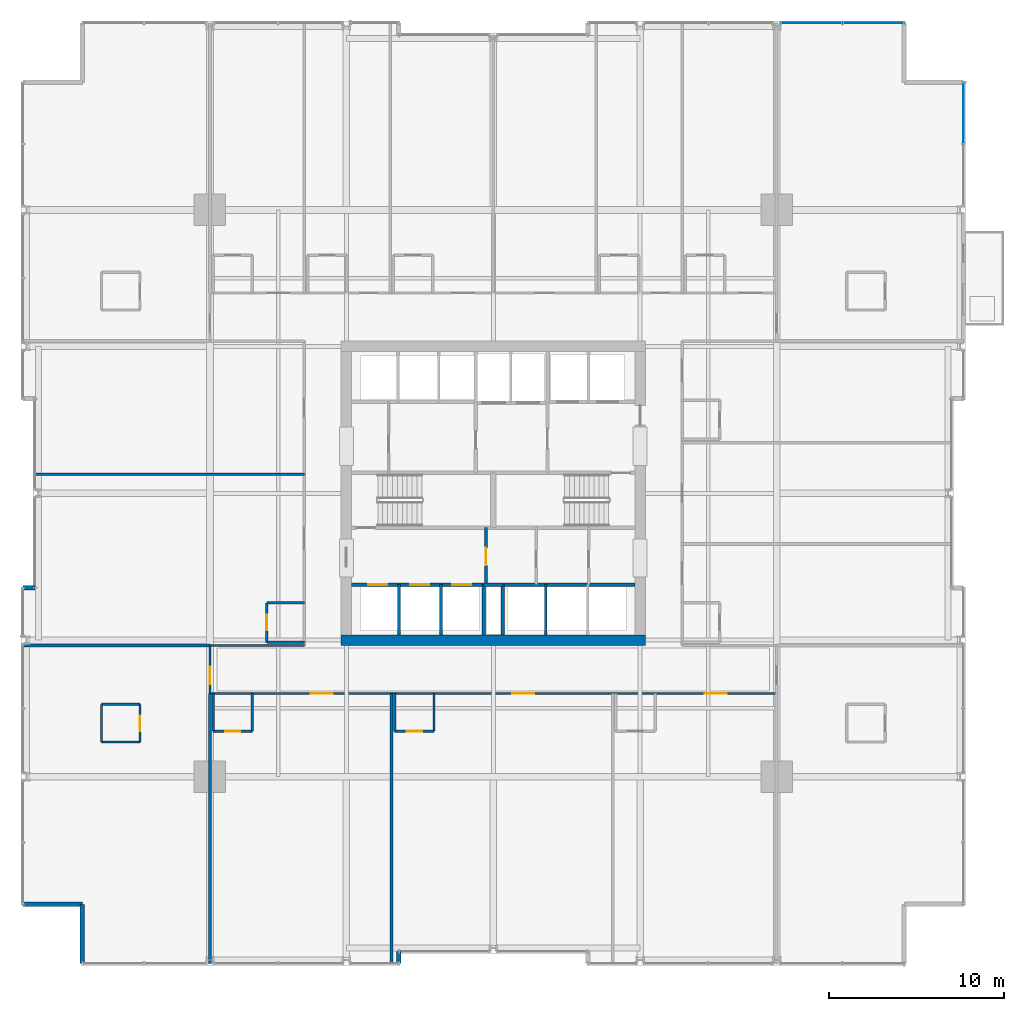
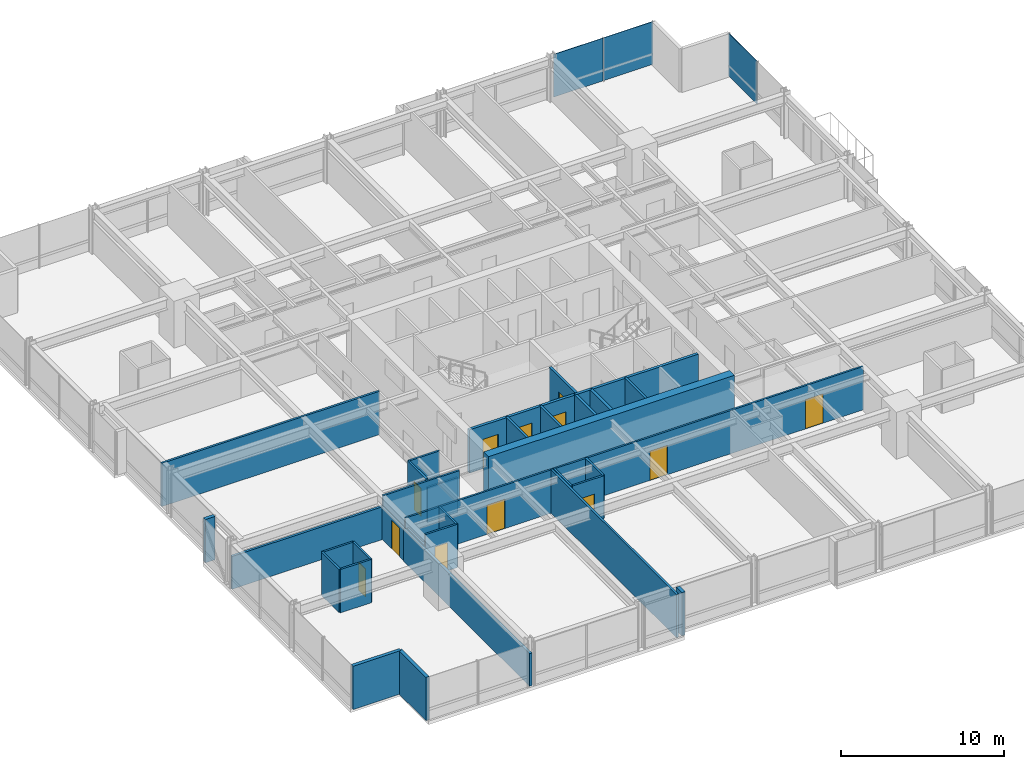
# One storey, part 30 of 38: 34 walls, 12 doors, 3 plates, 12 openings, 2 elements without a shape of their own.
"""IFC4 building model written with IfcOpenShell, lengths in metres."""

from ifc_helpers import new_model, si_unit, direction, frame, frame_2d, origin, origin_2d, place, context, subcontext, project, spatial, rectangle, extrude, material, layer, layer_set, type_object, element, fill, aggregate, save


model = new_model("IFC4")

# Units and contexts
model_context = context("Model", 3, precision=1e-05, world=origin(), true_north=direction((0.0, 1.0)))
body_context = subcontext(model_context, "Body", "Model", "MODEL_VIEW")
ifc_project = project(units=[si_unit("LENGTHUNIT", "METRE"), si_unit("AREAUNIT", "SQUARE_METRE"), si_unit("VOLUMEUNIT", "CUBIC_METRE"), si_unit("PLANEANGLEUNIT", "RADIAN"), si_unit("MASSUNIT", "GRAM", prefix="KILO")], contexts=[model_context])

# Site, building, storey
site_placement = place(None, origin())
site = spatial("IfcSite", under=ifc_project, at=site_placement, CompositionType="ELEMENT")
building_placement = place(site_placement, origin())
building = spatial("IfcBuilding", under=site, at=building_placement, Name="Drelvath Grand Hotel", CompositionType="ELEMENT")
storey_placement = place(building_placement, frame((0.0, 0.0, 68.199951171875)))
storey = spatial("IfcBuildingStorey", under=building, at=storey_placement, Name="L16", CompositionType="ELEMENT", Elevation=68.199951171875)

# Curtain wall, plate
ifc_material_1 = material(Name="Warm Bronze Anodised Aluminium Frame", Category="aluminium")
ifc_layer_1 = layer(ifc_material_1, 0.199951171875)
ifc_layer_set_1 = layer_set([ifc_layer_1], Name="Warm Bronze Anodised Aluminium Frame")
curtain_wall_type = type_object("IfcCurtainWallType", Name="Stick Curtain Wall CW-02 Warm Bronze Low-Rise", PredefinedType="NOTDEFINED", material=ifc_layer_set_1)
curtain_wall_1_placement = place(storey_placement, origin())
curtain_wall_1 = element("IfcCurtainWall", 1, at=curtain_wall_1_placement, inside=storey, type_object=curtain_wall_type, Name="L16 CW-02 Curtain Wall CW02-L16-EN3", PredefinedType="NOTDEFINED")
ifc_material_2 = material(Name="Low-E Triple Silver Vision Glass Bronze Tint", Category="glass")
ifc_layer_2 = layer(ifc_material_2, 0.035888671875)
ifc_layer_set_2 = layer_set([ifc_layer_2], Name="Low-E Triple Silver Vision Glass Bronze Tint")
plate_type = type_object("IfcPlateType", Name="Curtain Wall Vision Panel CW-02 36mm", PredefinedType="CURTAIN_PANEL", material=ifc_layer_set_2)
plate_1_placement = place(storey_placement, frame((26.8798828125, 48.732421875, 0.02001953125), z_axis=(0.0, 0.0, 1.0), x_axis=(0.0, -1.0, 0.0)))
plate_1 = element("IfcPlate", 2, at=plate_1_placement, type_object=plate_type, Name="CW02-L16-EN3 Glazed Panel 1", PredefinedType="CURTAIN_PANEL", context=body_context, shape_type="SweptSolid", body=[
    extrude(rectangle(XDim=3.49560546875, YDim=0.035888671875, at=origin_2d()), origin(), (0.0, 0.0, 1.0), 3.199951171875),
])
aggregate(curtain_wall_1, [plate_1])

# Curtain wall, plates
curtain_wall_2_placement = place(storey_placement, origin())
curtain_wall_2 = element("IfcCurtainWall", 3, at=curtain_wall_2_placement, inside=storey, type_object=curtain_wall_type, Name="L16 CW-02 Curtain Wall CW02-L16-NE3", PredefinedType="NOTDEFINED")
plate_2_placement = place(storey_placement, frame((18.19677734375, 53.8798828125, 0.02001953125), z_axis=(0.0, 0.0, 1.0), x_axis=(1.0, 0.0, 0.0)))
plate_2 = element("IfcPlate", 4, at=plate_2_placement, type_object=plate_type, Name="CW02-L16-NE3 Glazed Panel 1", PredefinedType="CURTAIN_PANEL", context=body_context, shape_type="SweptSolid", body=[
    extrude(rectangle(XDim=3.49560546875, YDim=0.035888671875, at=origin_2d()), origin(), (0.0, 0.0, 1.0), 3.199951171875),
])
plate_3_placement = place(storey_placement, frame((21.732421875, 53.8798828125, 0.02001953125), z_axis=(0.0, 0.0, 1.0), x_axis=(1.0, 0.0, 0.0)))
plate_3 = element("IfcPlate", 5, at=plate_3_placement, type_object=plate_type, Name="CW02-L16-NE3 Glazed Panel 2", PredefinedType="CURTAIN_PANEL", context=body_context, shape_type="SweptSolid", body=[
    extrude(rectangle(XDim=3.49560546875, YDim=0.035888671875, at=origin_2d()), origin(), (0.0, 0.0, 1.0), 3.199951171875),
])
aggregate(curtain_wall_2, [plate_2, plate_3])

# Wall, openings, doors
ifc_material_3 = material(Name="Concrete C40/50", Category="concrete")
ifc_layer_3 = layer(ifc_material_3, 0.199951171875)
ifc_layer_set_3 = layer_set([ifc_layer_3], Name="Concrete C40/50")
wall_type_1 = type_object("IfcWallType", Name="Core Hoistway Fire Wall 200", PredefinedType="SOLIDWALL", material=ifc_layer_set_3)
wall_1_placement = place(storey_placement, frame((-0.550048828125, 21.780029296875, 0.0), z_axis=(0.0, 0.0, 1.0), x_axis=(-1.0, 0.0, 0.0)))
wall_1 = element("IfcWall", 6, at=wall_1_placement, inside=storey, type_object=wall_type_1, Name="L16 Bank 1 Hoistway Wall", PredefinedType="SOLIDWALL", context=body_context, shape_type="SweptSolid", body=[
    extrude(rectangle(XDim=7.550048828125, YDim=0.199951171875, at=frame_2d((3.77490234375, 0.0))), origin(), (0.0, 0.0, 1.0), 3.239990234375),
])
opening_1_placement = place(wall_1_placement, frame((5.5, 0.0, 0.0)))
opening_1 = element("IfcOpeningElement", 7, at=opening_1_placement, cuts=wall_1, Name="Opening LD-PE-1", PredefinedType="OPENING", context=body_context, shape_type="SweptSolid", body=[
    extrude(rectangle(XDim=1.10009765625, YDim=2.199951171875, at=frame_2d((0.550048828125, 1.10009765625))), frame((0.0, 0.10986328125, 0.0), z_axis=(0.0, -1.0, 0.0), x_axis=(1.0, 0.0, 0.0)), (0.0, 0.0, 1.0), 0.219970703125),
])
opening_2_placement = place(wall_1_placement, frame((3.10009765625, 0.0, 0.0)))
opening_2 = element("IfcOpeningElement", 8, at=opening_2_placement, cuts=wall_1, Name="Opening LD-PE-2", PredefinedType="OPENING", context=body_context, shape_type="SweptSolid", body=[
    extrude(rectangle(XDim=1.10009765625, YDim=2.199951171875, at=frame_2d((0.550048828125, 1.10009765625))), frame((0.0, 0.10986328125, 0.0), z_axis=(0.0, -1.0, 0.0), x_axis=(1.0, 0.0, 0.0)), (0.0, 0.0, 1.0), 0.219970703125),
])
opening_3_placement = place(wall_1_placement, frame((0.699951171875, 0.0, 0.0)))
opening_3 = element("IfcOpeningElement", 9, at=opening_3_placement, cuts=wall_1, Name="Opening LD-PE-3", PredefinedType="OPENING", context=body_context, shape_type="SweptSolid", body=[
    extrude(rectangle(XDim=1.10009765625, YDim=2.199951171875, at=frame_2d((0.550048828125, 1.10009765625))), frame((0.0, 0.10986328125, 0.0), z_axis=(0.0, -1.0, 0.0), x_axis=(1.0, 0.0, 0.0)), (0.0, 0.0, 1.0), 0.219970703125),
])
ifc_material_4 = material(Name="Stainless Steel S355", Category="steel")
door_type_1 = type_object("IfcDoorType", Name="Passenger Lift Sliding Landing Door 1100x2200", OperationType="NOTDEFINED", PredefinedType="DOOR", material=ifc_material_4)
door_1_placement = place(opening_1_placement, origin())
door_1 = element("IfcDoor", 10, at=door_1_placement, inside=storey, type_object=door_type_1, Name="L16 Lift PE-1 Landing Door", OperationType="SLIDING_TO_LEFT", OverallHeight=2.199951171875, OverallWidth=1.10009765625, PredefinedType="DOOR", context=body_context, shape_type="SweptSolid", body=[
    extrude(rectangle(XDim=1.10009765625, YDim=2.199951171875, at=frame_2d((0.550048828125, 1.10009765625))), frame((0.0, 0.02490234375, 0.0), z_axis=(0.0, -1.0, 0.0), x_axis=(1.0, 0.0, 0.0)), (0.0, 0.0, 1.0), 0.050048828125),
])
fill(opening_1, door_1)
door_2_placement = place(opening_2_placement, origin())
door_2 = element("IfcDoor", 11, at=door_2_placement, inside=storey, type_object=door_type_1, Name="L16 Lift PE-2 Landing Door", OperationType="SLIDING_TO_LEFT", OverallHeight=2.199951171875, OverallWidth=1.10009765625, PredefinedType="DOOR", context=body_context, shape_type="SweptSolid", body=[
    extrude(rectangle(XDim=1.10009765625, YDim=2.199951171875, at=frame_2d((0.550048828125, 1.10009765625))), frame((0.0, 0.02490234375, 0.0), z_axis=(0.0, -1.0, 0.0), x_axis=(1.0, 0.0, 0.0)), (0.0, 0.0, 1.0), 0.050048828125),
])
fill(opening_2, door_2)
door_3_placement = place(opening_3_placement, origin())
door_3 = element("IfcDoor", 12, at=door_3_placement, inside=storey, type_object=door_type_1, Name="L16 Lift PE-3 Landing Door", OperationType="SLIDING_TO_LEFT", OverallHeight=2.199951171875, OverallWidth=1.10009765625, PredefinedType="DOOR", context=body_context, shape_type="SweptSolid", body=[
    extrude(rectangle(XDim=1.10009765625, YDim=2.199951171875, at=frame_2d((0.550048828125, 1.10009765625))), frame((0.0, 0.02490234375, 0.0), z_axis=(0.0, -1.0, 0.0), x_axis=(1.0, 0.0, 0.0)), (0.0, 0.0, 1.0), 0.050048828125),
])
fill(opening_3, door_3)

# Walls
wall_2_placement = place(storey_placement, frame((-0.550048828125, 18.89990234375, 0.0), z_axis=(0.0, 0.0, 1.0), x_axis=(0.0, 1.0, 0.0)))
element("IfcWall", 13, at=wall_2_placement, inside=storey, type_object=wall_type_1, Name="L16 Bank 1 East Wall", PredefinedType="SOLIDWALL", context=body_context, shape_type="SweptSolid", body=[
    extrude(rectangle(XDim=2.880126953125, YDim=0.199951171875, at=frame_2d((1.43994140625, 0.0))), origin(), (0.0, 0.0, 1.0), 3.239990234375),
])
wall_3_placement = place(storey_placement, frame((8.10009765625, 21.780029296875, 0.0), z_axis=(0.0, 0.0, 1.0), x_axis=(-1.0, 0.0, 0.0)))
element("IfcWall", 14, at=wall_3_placement, inside=storey, type_object=wall_type_1, Name="L16 Bank 2 Hoistway Wall", PredefinedType="SOLIDWALL", context=body_context, shape_type="SweptSolid", body=[
    extrude(rectangle(XDim=7.550048828125, YDim=0.199951171875, at=frame_2d((3.77490234375, 0.0))), origin(), (0.0, 0.0, 1.0), 3.239990234375),
])
wall_4_placement = place(storey_placement, frame((0.550048828125, 18.89990234375, 0.0), z_axis=(0.0, 0.0, 1.0), x_axis=(0.0, 1.0, 0.0)))
element("IfcWall", 15, at=wall_4_placement, inside=storey, type_object=wall_type_1, Name="L16 Bank 2 West Wall", PredefinedType="SOLIDWALL", context=body_context, shape_type="SweptSolid", body=[
    extrude(rectangle(XDim=2.880126953125, YDim=0.199951171875, at=frame_2d((1.43994140625, 0.0))), origin(), (0.0, 0.0, 1.0), 3.239990234375),
])
wall_5_placement = place(storey_placement, frame((-0.550048828125, 21.780029296875, 0.0), z_axis=(0.0, 0.0, 1.0), x_axis=(1.0, 0.0, 0.0)))
element("IfcWall", 16, at=wall_5_placement, inside=storey, type_object=wall_type_1, Name="L16 Core Riser Wall", PredefinedType="SOLIDWALL", context=body_context, shape_type="SweptSolid", body=[
    extrude(rectangle(XDim=1.10009765625, YDim=0.199951171875, at=frame_2d((0.550048828125, 0.0))), origin(), (0.0, 0.0, 1.0), 3.239990234375),
])
ifc_material_5 = material(Name="Gypsum Fireboard Partition")
ifc_layer_4 = layer(ifc_material_5, 0.1650390625)
ifc_layer_set_4 = layer_set([ifc_layer_4], Name="Gypsum Fireboard Partition")
wall_type_2 = type_object("IfcWallType", Name="Core Shaft Partition 165", PredefinedType="PARTITIONING", material=ifc_layer_set_4)
for number, where, z_axis, x_axis, name in (
    (17, (-5.39990234375, 18.89990234375, 0.0), (0.0, 0.0, 1.0), (0.0, 1.0, 0.0), "L16 Lift PE-1/2 Divider"),
    (18, (-3.0, 18.89990234375, 0.0), (0.0, 0.0, 1.0), (0.0, 1.0, 0.0), "L16 Lift PE-2/3 Divider"),
    (19, (3.0, 18.89990234375, 0.0), (0.0, 0.0, 1.0), (0.0, 1.0, 0.0), "L16 Lift PE-4/5 Divider"),
):
    element("IfcWall", number, at=place(storey_placement, frame(where, z_axis=z_axis, x_axis=x_axis)), inside=storey, type_object=wall_type_2, Name=name, PredefinedType="PARTITIONING", context=body_context, shape_type="SweptSolid", body=[
        extrude(rectangle(XDim=2.880126953125, YDim=0.1650390625, at=frame_2d((1.43994140625, 0.0))), origin(), (0.0, 0.0, 1.0), 3.239990234375),
    ])

# Wall, openings, doors
ifc_layer_5 = layer(ifc_material_5, 0.135009765625)
ifc_layer_set_5 = layer_set([ifc_layer_5], Name="Gypsum Fireboard Partition")
wall_type_3 = type_object("IfcWallType", Name="Corridor Fire Barrier Wall 135", PredefinedType="PARTITIONING", material=ifc_layer_set_5)
wall_6_placement = place(storey_placement, frame((-16.199951171875, 15.550048828125, 0.0), z_axis=(0.0, 0.0, 1.0), x_axis=(1.0, 0.0, 0.0)))
wall_6 = element("IfcWall", 20, at=wall_6_placement, inside=storey, type_object=wall_type_3, Name="L16 South Corridor Wall", PredefinedType="PARTITIONING", context=body_context, shape_type="SweptSolid", body=[
    extrude(rectangle(XDim=32.39990234375, YDim=0.135009765625, at=frame_2d((16.199951171875, 0.0))), origin(), (0.0, 0.0, 1.0), 3.239990234375),
])
opening_4_placement = place(wall_6_placement, frame((5.77490234375, 0.0, 0.0)))
opening_4 = element("IfcOpeningElement", 21, at=opening_4_placement, cuts=wall_6, Name="Opening D-T1G4-027", PredefinedType="OPENING", context=body_context, shape_type="SweptSolid", body=[
    extrude(rectangle(XDim=1.260009765625, YDim=2.199951171875, at=frame_2d((0.6298828125, 1.10009765625))), frame((0.0, 0.077392578125, 0.0), z_axis=(0.0, -1.0, 0.0), x_axis=(1.0, 0.0, 0.0)), (0.0, 0.0, 1.0), 0.155029296875),
])
opening_5_placement = place(wall_6_placement, frame((17.28564453125, 0.0, 0.0)))
opening_5 = element("IfcOpeningElement", 22, at=opening_5_placement, cuts=wall_6, Name="Opening D-T1G4-029", PredefinedType="OPENING", context=body_context, shape_type="SweptSolid", body=[
    extrude(rectangle(XDim=1.260009765625, YDim=2.199951171875, at=frame_2d((0.6298828125, 1.10009765625))), frame((0.0, 0.077392578125, 0.0), z_axis=(0.0, -1.0, 0.0), x_axis=(1.0, 0.0, 0.0)), (0.0, 0.0, 1.0), 0.155029296875),
])
opening_6_placement = place(wall_6_placement, frame((28.29541015625, 0.0, 0.0)))
opening_6 = element("IfcOpeningElement", 23, at=opening_6_placement, cuts=wall_6, Name="Opening D-T1G4-031", PredefinedType="OPENING", context=body_context, shape_type="SweptSolid", body=[
    extrude(rectangle(XDim=1.260009765625, YDim=2.199951171875, at=frame_2d((0.6298828125, 1.10009765625))), frame((0.0, 0.077392578125, 0.0), z_axis=(0.0, -1.0, 0.0), x_axis=(1.0, 0.0, 0.0)), (0.0, 0.0, 1.0), 0.155029296875),
])
ifc_material_6 = material(Name="Hardwood Walnut Timber", Category="wood")
door_type_2 = type_object("IfcDoorType", Name="Suite Entrance Fire Door 1260x2200", OperationType="NOTDEFINED", PredefinedType="DOOR", material=ifc_material_6)
door_4_placement = place(opening_4_placement, origin())
door_4 = element("IfcDoor", 24, at=door_4_placement, inside=storey, type_object=door_type_2, Name="L16 Corner Suite Entry Door", OperationType="SINGLE_SWING_RIGHT", OverallHeight=2.199951171875, OverallWidth=1.260009765625, PredefinedType="DOOR", context=body_context, shape_type="SweptSolid", body=[
    extrude(rectangle(XDim=1.260009765625, YDim=2.199951171875, at=frame_2d((0.6298828125, 1.10009765625))), frame((0.0, 0.02490234375, 0.0), z_axis=(0.0, -1.0, 0.0), x_axis=(1.0, 0.0, 0.0)), (0.0, 0.0, 1.0), 0.050048828125),
])
fill(opening_4, door_4)
door_5_placement = place(opening_5_placement, origin())
door_5 = element("IfcDoor", 25, at=door_5_placement, inside=storey, type_object=door_type_2, Name="L16 Corner Suite Entry Door", OperationType="SINGLE_SWING_RIGHT", OverallHeight=2.199951171875, OverallWidth=1.260009765625, PredefinedType="DOOR", context=body_context, shape_type="SweptSolid", body=[
    extrude(rectangle(XDim=1.260009765625, YDim=2.199951171875, at=frame_2d((0.6298828125, 1.10009765625))), frame((0.0, 0.02490234375, 0.0), z_axis=(0.0, -1.0, 0.0), x_axis=(1.0, 0.0, 0.0)), (0.0, 0.0, 1.0), 0.050048828125),
])
fill(opening_5, door_5)
door_6_placement = place(opening_6_placement, origin())
door_6 = element("IfcDoor", 26, at=door_6_placement, inside=storey, type_object=door_type_2, Name="L16 Corner Suite Entry Door", OperationType="SINGLE_SWING_RIGHT", OverallHeight=2.199951171875, OverallWidth=1.260009765625, PredefinedType="DOOR", context=body_context, shape_type="SweptSolid", body=[
    extrude(rectangle(XDim=1.260009765625, YDim=2.199951171875, at=frame_2d((0.6298828125, 1.10009765625))), frame((0.0, 0.02490234375, 0.0), z_axis=(0.0, -1.0, 0.0), x_axis=(1.0, 0.0, 0.0)), (0.0, 0.0, 1.0), 0.050048828125),
])
fill(opening_6, door_6)

# Wall
wall_7_placement = place(storey_placement, frame((-16.199951171875, 18.300048828125, 0.0), z_axis=(0.0, 0.0, 1.0), x_axis=(1.0, 0.0, 0.0)))
element("IfcWall", 27, at=wall_7_placement, inside=storey, type_object=wall_type_3, Name="L16 SW Spur Inner Wall", PredefinedType="PARTITIONING", context=body_context, shape_type="SweptSolid", body=[
    extrude(rectangle(XDim=5.39990234375, YDim=0.135009765625, at=frame_2d((2.699951171875, 0.0))), origin(), (0.0, 0.0, 1.0), 3.239990234375),
])

# Wall, opening, door
wall_8_placement = place(storey_placement, frame((-16.199951171875, 15.550048828125, 0.0), z_axis=(0.0, 0.0, 1.0), x_axis=(0.0, 1.0, 0.0)))
wall_8 = element("IfcWall", 28, at=wall_8_placement, inside=storey, type_object=wall_type_3, Name="L16 South Corridor West End", PredefinedType="PARTITIONING", context=body_context, shape_type="SweptSolid", body=[
    extrude(rectangle(XDim=2.75, YDim=0.135009765625, at=frame_2d((1.375, 0.0))), origin(), (0.0, 0.0, 1.0), 2.451904296875),
])
opening_7_placement = place(wall_8_placement, frame((0.52001953125, 0.0, 0.0)))
opening_7 = element("IfcOpeningElement", 29, at=opening_7_placement, cuts=wall_8, Name="Opening D-T1G4-019", PredefinedType="OPENING", context=body_context, shape_type="SweptSolid", body=[
    extrude(rectangle(XDim=1.02001953125, YDim=2.14990234375, at=frame_2d((0.510009765625, 1.074951171875))), frame((0.0, 0.077392578125, 0.0), z_axis=(0.0, -1.0, 0.0), x_axis=(1.0, 0.0, 0.0)), (0.0, 0.0, 1.0), 0.155029296875),
])
door_type_3 = type_object("IfcDoorType", Name="Amenity Meeting Fire Door 1020x2150", OperationType="NOTDEFINED", PredefinedType="DOOR", material=ifc_material_6)
door_7_placement = place(opening_7_placement, origin())
door_7 = element("IfcDoor", 30, at=door_7_placement, inside=storey, type_object=door_type_3, Name="L16 Corner Suite Entry Door", OperationType="SINGLE_SWING_RIGHT", OverallHeight=2.14990234375, OverallWidth=1.02001953125, PredefinedType="DOOR", context=body_context, shape_type="SweptSolid", body=[
    extrude(rectangle(XDim=1.02001953125, YDim=2.14990234375, at=frame_2d((0.510009765625, 1.074951171875))), frame((0.0, 0.02490234375, 0.0), z_axis=(0.0, -1.0, 0.0), x_axis=(1.0, 0.0, 0.0)), (0.0, 0.0, 1.0), 0.050048828125),
])
fill(opening_7, door_7)

# Walls
ifc_material_7 = material(Name="Moisture-Resistant Gypsum Board")
ifc_layer_6 = layer(ifc_material_7, 0.139892578125)
ifc_layer_set_6 = layer_set([ifc_layer_6], Name="Moisture-Resistant Gypsum Board")
wall_type_4 = type_object("IfcWallType", Name="En-Suite Plumbing Wall 140", PredefinedType="PLUMBINGWALL", material=ifc_layer_set_6)
for number, where, z_axis, x_axis, name in (
    (31, (-22.39990234375, 12.780029296875, 0.0), (0.0, 0.0, 1.0), (1.0, 0.0, 0.0), "L16 Corner En-Suite South"),
    (32, (-22.39990234375, 14.929931640625, 0.0), (0.0, 0.0, 1.0), (1.0, 0.0, 0.0), "L16 Corner En-Suite North"),
):
    element("IfcWall", number, at=place(storey_placement, frame(where, z_axis=z_axis, x_axis=x_axis)), inside=storey, type_object=wall_type_4, Name=name, PredefinedType="PLUMBINGWALL", context=body_context, shape_type="SweptSolid", body=[
        extrude(rectangle(XDim=2.199951171875, YDim=0.139892578125, at=frame_2d((1.10009765625, 0.0))), origin(), (0.0, 0.0, 1.0), 3.239990234375),
    ])
wall_9_placement = place(storey_placement, frame((-22.39990234375, 12.780029296875, 0.0), z_axis=(0.0, 0.0, 1.0), x_axis=(0.0, 1.0, 0.0)))
element("IfcWall", 33, at=wall_9_placement, inside=storey, type_object=wall_type_4, Name="L16 Corner En-Suite West", PredefinedType="PLUMBINGWALL", context=body_context, shape_type="SweptSolid", body=[
    extrude(rectangle(XDim=2.14990234375, YDim=0.139892578125, at=frame_2d((1.074951171875, 0.0))), origin(), (0.0, 0.0, 1.0), 3.239990234375),
])

# Wall, opening, door
wall_10_placement = place(storey_placement, frame((-20.199951171875, 12.780029296875, 0.0), z_axis=(0.0, 0.0, 1.0), x_axis=(0.0, 1.0, 0.0)))
wall_10 = element("IfcWall", 34, at=wall_10_placement, inside=storey, type_object=wall_type_4, Name="L16 Corner En-Suite East", PredefinedType="PLUMBINGWALL", context=body_context, shape_type="SweptSolid", body=[
    extrude(rectangle(XDim=2.14990234375, YDim=0.139892578125, at=frame_2d((1.074951171875, 0.0))), origin(), (0.0, 0.0, 1.0), 3.239990234375),
])
opening_8_placement = place(wall_10_placement, frame((0.6201171875, 0.0, 0.0)))
opening_8 = element("IfcOpeningElement", 35, at=opening_8_placement, cuts=wall_10, Name="Opening D-T1G4-018", PredefinedType="OPENING", context=body_context, shape_type="SweptSolid", body=[
    extrude(rectangle(XDim=0.8798828125, YDim=2.10009765625, at=frame_2d((0.43994140625, 1.050048828125))), frame((0.0, 0.079833984375, 0.0), z_axis=(0.0, -1.0, 0.0), x_axis=(1.0, 0.0, 0.0)), (0.0, 0.0, 1.0), 0.159912109375),
])
door_type_4 = type_object("IfcDoorType", Name="En-Suite Bathroom Door 880x2100", OperationType="NOTDEFINED", PredefinedType="DOOR", material=ifc_material_6)
door_8_placement = place(opening_8_placement, origin())
door_8 = element("IfcDoor", 36, at=door_8_placement, inside=storey, type_object=door_type_4, Name="L16 Corner En-Suite Door", OperationType="SINGLE_SWING_LEFT", OverallHeight=2.10009765625, OverallWidth=0.8798828125, PredefinedType="DOOR", context=body_context, shape_type="SweptSolid", body=[
    extrude(rectangle(XDim=0.8798828125, YDim=2.10009765625, at=frame_2d((0.43994140625, 1.050048828125))), frame((0.0, 0.02490234375, 0.0), z_axis=(0.0, -1.0, 0.0), x_axis=(1.0, 0.0, 0.0)), (0.0, 0.0, 1.0), 0.050048828125),
])
fill(opening_8, door_8)

# Walls
wall_11_placement = place(storey_placement, frame((-16.02001953125, 15.550048828125, 0.0), z_axis=(0.0, 0.0, 1.0), x_axis=(0.0, -1.0, 0.0)))
element("IfcWall", 37, at=wall_11_placement, inside=storey, type_object=wall_type_4, Name="L16 En-Suite Left Wall", PredefinedType="PLUMBINGWALL", context=body_context, shape_type="SweptSolid", body=[
    extrude(rectangle(XDim=2.150146484375, YDim=0.139892578125, at=frame_2d((1.0751953125, 0.0))), origin(), (0.0, 0.0, 1.0), 2.451904296875),
])
wall_12_placement = place(storey_placement, frame((-13.77001953125, 15.550048828125, 0.0), z_axis=(0.0, 0.0, 1.0), x_axis=(0.0, -1.0, 0.0)))
element("IfcWall", 38, at=wall_12_placement, inside=storey, type_object=wall_type_4, Name="L16 En-Suite Right Wall", PredefinedType="PLUMBINGWALL", context=body_context, shape_type="SweptSolid", body=[
    extrude(rectangle(XDim=2.150146484375, YDim=0.139892578125, at=frame_2d((1.0751953125, 0.0))), origin(), (0.0, 0.0, 1.0), 3.239990234375),
])

# Wall, opening, door
wall_13_placement = place(storey_placement, frame((-16.02001953125, 13.39990234375, 0.0), z_axis=(0.0, 0.0, 1.0), x_axis=(1.0, 0.0, 0.0)))
wall_13 = element("IfcWall", 39, at=wall_13_placement, inside=storey, type_object=wall_type_4, Name="L16 En-Suite Front Wall", PredefinedType="PLUMBINGWALL", context=body_context, shape_type="SweptSolid", body=[
    extrude(rectangle(XDim=2.25, YDim=0.139892578125, at=frame_2d((1.125, 0.0))), origin(), (0.0, 0.0, 1.0), 3.239990234375),
])
opening_9_placement = place(wall_13_placement, frame((0.68505859375, 0.0, 0.0)))
opening_9 = element("IfcOpeningElement", 40, at=opening_9_placement, cuts=wall_13, Name="Opening D-T1G4-026", PredefinedType="OPENING", context=body_context, shape_type="SweptSolid", body=[
    extrude(rectangle(XDim=0.8798828125, YDim=2.10009765625, at=frame_2d((0.43994140625, 1.050048828125))), frame((0.0, 0.079833984375, 0.0), z_axis=(0.0, -1.0, 0.0), x_axis=(1.0, 0.0, 0.0)), (0.0, 0.0, 1.0), 0.159912109375),
])
door_9_placement = place(opening_9_placement, origin())
door_9 = element("IfcDoor", 41, at=door_9_placement, inside=storey, type_object=door_type_4, Name="L16 En-Suite Bathroom Door", OperationType="SINGLE_SWING_LEFT", OverallHeight=2.10009765625, OverallWidth=0.8798828125, PredefinedType="DOOR", context=body_context, shape_type="SweptSolid", body=[
    extrude(rectangle(XDim=0.8798828125, YDim=2.10009765625, at=frame_2d((0.43994140625, 1.050048828125))), frame((0.0, 0.02490234375, 0.0), z_axis=(0.0, -1.0, 0.0), x_axis=(1.0, 0.0, 0.0)), (0.0, 0.0, 1.0), 0.050048828125),
])
fill(opening_9, door_9)

# Walls
for number, where, z_axis, x_axis, name in (
    (42, (-5.639892578125, 15.550048828125, 0.0), (0.0, 0.0, 1.0), (0.0, -1.0, 0.0), "L16 En-Suite Left Wall"),
    (43, (-3.389892578125, 15.550048828125, 0.0), (0.0, 0.0, 1.0), (0.0, -1.0, 0.0), "L16 En-Suite Right Wall"),
):
    element("IfcWall", number, at=place(storey_placement, frame(where, z_axis=z_axis, x_axis=x_axis)), inside=storey, type_object=wall_type_4, Name=name, PredefinedType="PLUMBINGWALL", context=body_context, shape_type="SweptSolid", body=[
        extrude(rectangle(XDim=2.150146484375, YDim=0.139892578125, at=frame_2d((1.0751953125, 0.0))), origin(), (0.0, 0.0, 1.0), 3.239990234375),
    ])

# Wall, opening, door
wall_14_placement = place(storey_placement, frame((-5.639892578125, 13.39990234375, 0.0), z_axis=(0.0, 0.0, 1.0), x_axis=(1.0, 0.0, 0.0)))
wall_14 = element("IfcWall", 44, at=wall_14_placement, inside=storey, type_object=wall_type_4, Name="L16 En-Suite Front Wall", PredefinedType="PLUMBINGWALL", context=body_context, shape_type="SweptSolid", body=[
    extrude(rectangle(XDim=2.25, YDim=0.139892578125, at=frame_2d((1.125, 0.0))), origin(), (0.0, 0.0, 1.0), 3.239990234375),
])
opening_10_placement = place(wall_14_placement, frame((0.68505859375, 0.0, 0.0)))
opening_10 = element("IfcOpeningElement", 45, at=opening_10_placement, cuts=wall_14, Name="Opening D-T1G4-028", PredefinedType="OPENING", context=body_context, shape_type="SweptSolid", body=[
    extrude(rectangle(XDim=0.8798828125, YDim=2.10009765625, at=frame_2d((0.43994140625, 1.050048828125))), frame((0.0, 0.079833984375, 0.0), z_axis=(0.0, -1.0, 0.0), x_axis=(1.0, 0.0, 0.0)), (0.0, 0.0, 1.0), 0.159912109375),
])
door_10_placement = place(opening_10_placement, origin())
door_10 = element("IfcDoor", 46, at=door_10_placement, inside=storey, type_object=door_type_4, Name="L16 En-Suite Bathroom Door", OperationType="SINGLE_SWING_LEFT", OverallHeight=2.10009765625, OverallWidth=0.8798828125, PredefinedType="DOOR", context=body_context, shape_type="SweptSolid", body=[
    extrude(rectangle(XDim=0.8798828125, YDim=2.10009765625, at=frame_2d((0.43994140625, 1.050048828125))), frame((0.0, 0.02490234375, 0.0), z_axis=(0.0, -1.0, 0.0), x_axis=(1.0, 0.0, 0.0)), (0.0, 0.0, 1.0), 0.050048828125),
])
fill(opening_10, door_10)

# Walls
wall_15_placement = place(storey_placement, frame((-10.800048828125, 18.47998046875, 0.0), z_axis=(0.0, 0.0, 1.0), x_axis=(-1.0, 0.0, 0.0)))
element("IfcWall", 47, at=wall_15_placement, inside=storey, type_object=wall_type_4, Name="L16 En-Suite Left Wall", PredefinedType="PLUMBINGWALL", context=body_context, shape_type="SweptSolid", body=[
    extrude(rectangle(XDim=2.14990234375, YDim=0.139892578125, at=frame_2d((1.074951171875, 0.0))), origin(), (0.0, 0.0, 1.0), 2.617431640625),
])
wall_16_placement = place(storey_placement, frame((-10.800048828125, 20.72998046875, 0.0), z_axis=(0.0, 0.0, 1.0), x_axis=(-1.0, 0.0, 0.0)))
element("IfcWall", 48, at=wall_16_placement, inside=storey, type_object=wall_type_4, Name="L16 En-Suite Right Wall", PredefinedType="PLUMBINGWALL", context=body_context, shape_type="SweptSolid", body=[
    extrude(rectangle(XDim=2.14990234375, YDim=0.139892578125, at=frame_2d((1.074951171875, 0.0))), origin(), (0.0, 0.0, 1.0), 3.239990234375),
])

# Wall, opening, door
wall_17_placement = place(storey_placement, frame((-12.949951171875, 18.47998046875, 0.0), z_axis=(0.0, 0.0, 1.0), x_axis=(0.0, 1.0, 0.0)))
wall_17 = element("IfcWall", 49, at=wall_17_placement, inside=storey, type_object=wall_type_4, Name="L16 En-Suite Front Wall", PredefinedType="PLUMBINGWALL", context=body_context, shape_type="SweptSolid", body=[
    extrude(rectangle(XDim=2.25, YDim=0.139892578125, at=frame_2d((1.125, 0.0))), origin(), (0.0, 0.0, 1.0), 3.239990234375),
])
opening_11_placement = place(wall_17_placement, frame((0.68505859375, 0.0, 0.0)))
opening_11 = element("IfcOpeningElement", 50, at=opening_11_placement, cuts=wall_17, Name="Opening D-T1G4-043", PredefinedType="OPENING", context=body_context, shape_type="SweptSolid", body=[
    extrude(rectangle(XDim=0.8798828125, YDim=2.10009765625, at=frame_2d((0.43994140625, 1.050048828125))), frame((0.0, 0.079833984375, 0.0), z_axis=(0.0, -1.0, 0.0), x_axis=(1.0, 0.0, 0.0)), (0.0, 0.0, 1.0), 0.159912109375),
])
door_11_placement = place(opening_11_placement, origin())
door_11 = element("IfcDoor", 51, at=door_11_placement, inside=storey, type_object=door_type_4, Name="L16 En-Suite Bathroom Door", OperationType="SINGLE_SWING_RIGHT", OverallHeight=2.10009765625, OverallWidth=0.8798828125, PredefinedType="DOOR", context=body_context, shape_type="SweptSolid", body=[
    extrude(rectangle(XDim=0.8798828125, YDim=2.10009765625, at=frame_2d((0.43994140625, 1.050048828125))), frame((0.0, 0.02490234375, 0.0), z_axis=(0.0, -1.0, 0.0), x_axis=(1.0, 0.0, 0.0)), (0.0, 0.0, 1.0), 0.050048828125),
])
fill(opening_11, door_11)

ifc_layer_7 = layer(ifc_material_5, 0.179931640625)
ifc_layer_set_7 = layer_set([ifc_layer_7], Name="Gypsum Fireboard Partition")
wall_type_5 = type_object("IfcWallType", Name="FSAE Smoke Lobby Fire Wall 180", PredefinedType="SOLIDWALL", material=ifc_layer_set_7)
wall_18_placement = place(storey_placement, frame((-0.419921875, 21.780029296875, 0.0), z_axis=(0.0, 0.0, 1.0), x_axis=(0.0, 1.0, 0.0)))
wall_18 = element("IfcWall", 52, at=wall_18_placement, inside=storey, type_object=wall_type_5, Name="L16 Low-Rise Lobby East Wall", PredefinedType="SOLIDWALL", context=body_context, shape_type="SweptSolid", body=[
    extrude(rectangle(XDim=3.260009765625, YDim=0.179931640625, at=frame_2d((1.6298828125, 0.0))), origin(), (0.0, 0.0, 1.0), 3.239990234375),
])
opening_12_placement = place(wall_18_placement, frame((1.10009765625, 0.0, 0.0)))
opening_12 = element("IfcOpeningElement", 53, at=opening_12_placement, cuts=wall_18, Name="Opening D-T1G4-014", PredefinedType="OPENING", context=body_context, shape_type="SweptSolid", body=[
    extrude(rectangle(XDim=1.0, YDim=2.10009765625, at=frame_2d((0.5, 1.050048828125))), frame((0.0, 0.099853515625, 0.0), z_axis=(0.0, -1.0, 0.0), x_axis=(1.0, 0.0, 0.0)), (0.0, 0.0, 1.0), 0.199951171875),
])
ifc_material_8 = material(Name="Painted Steel S275", Category="steel")
door_type_5 = type_object("IfcDoorType", Name="Core Service Fire Door 1000x2100", OperationType="NOTDEFINED", PredefinedType="DOOR", material=ifc_material_8)
door_12_placement = place(opening_12_placement, origin())
door_12 = element("IfcDoor", 54, at=door_12_placement, inside=storey, type_object=door_type_5, Name="L16 Housekeeping Entry Door", OperationType="SINGLE_SWING_LEFT", OverallHeight=2.10009765625, OverallWidth=1.0, PredefinedType="DOOR", context=body_context, shape_type="SweptSolid", body=[
    extrude(rectangle(XDim=1.0, YDim=2.10009765625, at=frame_2d((0.5, 1.050048828125))), frame((0.0, 0.02490234375, 0.0), z_axis=(0.0, -1.0, 0.0), x_axis=(1.0, 0.0, 0.0)), (0.0, 0.0, 1.0), 0.050048828125),
])
fill(opening_12, door_12)

# Walls
ifc_material_9 = material(Name="Gypsum Acoustic Partition")
ifc_layer_8 = layer(ifc_material_9, 0.14990234375)
ifc_layer_set_8 = layer_set([ifc_layer_8], Name="Gypsum Acoustic Partition")
wall_type_6 = type_object("IfcWallType", Name="Guestroom Demising Wall 150", PredefinedType="PARTITIONING", material=ifc_layer_set_8)
wall_19_placement = place(storey_placement, frame((-5.820068359375, 0.1201171875, 0.0), z_axis=(0.0, 0.0, 1.0), x_axis=(0.0, 1.0, 0.0)))
element("IfcWall", 55, at=wall_19_placement, inside=storey, type_object=wall_type_6, Name="L16 South Demising 1", PredefinedType="PARTITIONING", context=body_context, shape_type="SweptSolid", body=[
    extrude(rectangle(XDim=15.429931640625, YDim=0.14990234375, at=frame_2d((7.71484375, 0.0))), origin(), (0.0, 0.0, 1.0), 3.239990234375),
])
wall_20_placement = place(storey_placement, frame((-26.199951171875, 28.08740234375, 0.0), z_axis=(0.0, 0.0, 1.0), x_axis=(1.0, 0.0, 0.0)))
element("IfcWall", 56, at=wall_20_placement, inside=storey, type_object=wall_type_6, Name="L16 West Demising 1", PredefinedType="PARTITIONING", context=body_context, shape_type="SweptSolid", body=[
    extrude(rectangle(XDim=15.39990234375, YDim=0.14990234375, at=frame_2d((7.699951171875, 0.0))), origin(), (0.0, 0.0, 1.0), 3.239990234375),
])
ifc_material_10 = material(Name="Concrete f'c 70 MPa", Category="concrete")
ifc_layer_9 = layer(ifc_material_10, 0.60009765625)
ifc_layer_set_9 = layer_set([ifc_layer_9], Name="Concrete f'c 70 MPa")
wall_type_7 = type_object("IfcWallType", Name="Lower Core RC Shear Wall 600", PredefinedType="SHEAR", material=ifc_layer_set_9)
wall_21_placement = place(storey_placement, frame((8.699951171875, 18.60009765625, 0.0), z_axis=(0.0, 0.0, 1.0), x_axis=(-1.0, 0.0, 0.0)))
element("IfcWall", 57, at=wall_21_placement, inside=storey, type_object=wall_type_7, Name="L16 Central Core Shear Wall S", PredefinedType="SHEAR", context=body_context, shape_type="SweptSolid", body=[
    extrude(rectangle(XDim=17.39990234375, YDim=0.60009765625, at=frame_2d((8.699951171875, 0.0))), origin(), (0.0, 0.0, 1.0), 3.5),
])
ifc_layer_10 = layer(ifc_material_9, 0.1650390625)
ifc_layer_set_10 = layer_set([ifc_layer_10], Name="Gypsum Acoustic Partition")
wall_type_8 = type_object("IfcWallType", Name="Suite Demising Wall 165", PredefinedType="PARTITIONING", material=ifc_layer_set_10)
wall_22_placement = place(storey_placement, frame((-16.199951171875, 0.1201171875, 0.0), z_axis=(0.0, 0.0, 1.0), x_axis=(0.0, 1.0, 0.0)))
element("IfcWall", 58, at=wall_22_placement, inside=storey, type_object=wall_type_8, Name="L16 SW Wing Boundary Wall", PredefinedType="PARTITIONING", context=body_context, shape_type="SweptSolid", body=[
    extrude(rectangle(XDim=15.429931640625, YDim=0.1650390625, at=frame_2d((7.71484375, 0.0))), origin(), (0.0, 0.0, 1.0), 2.451904296875),
])
wall_23_placement = place(storey_placement, frame((-26.8798828125, 18.300048828125, 0.0), z_axis=(0.0, 0.0, 1.0), x_axis=(1.0, 0.0, 0.0)))
element("IfcWall", 59, at=wall_23_placement, inside=storey, type_object=wall_type_8, Name="L16 SW Corner North Wall", PredefinedType="PARTITIONING", context=body_context, shape_type="SweptSolid", body=[
    extrude(rectangle(XDim=10.679931640625, YDim=0.1650390625, at=frame_2d((5.33984375, 0.0))), origin(), (0.0, 0.0, 1.0), 2.451904296875),
])
ifc_material_11 = material(Name="Pale-Metal Insulated Aluminium Spandrel Assembly", Category="aluminium")
ifc_layer_11 = layer(ifc_material_11, 0.239990234375)
ifc_layer_set_11 = layer_set([ifc_layer_11], Name="Pale-Metal Insulated Aluminium Spandrel Assembly")
wall_type_9 = type_object("IfcWallType", Name="Tower Insulated Metal Spandrel Closure Wall 240", PredefinedType="STANDARD", material=ifc_layer_set_11)
for number, where, z_axis, x_axis, name in (
    (60, (-23.5, 0.1201171875, 0.0), (0.0, 0.0, 1.0), (0.0, 1.0, 0.0), "L16 Notched Corner Return Spandrel Wall CSW1"),
    (61, (-23.5, 3.5, 0.0), (0.0, 0.0, 1.0), (-1.0, 0.0, 0.0), "L16 Notched Corner Return Spandrel Wall CSW2"),
):
    element("IfcWall", number, at=place(storey_placement, frame(where, z_axis=z_axis, x_axis=x_axis)), inside=storey, type_object=wall_type_9, Name=name, PredefinedType="STANDARD", context=body_context, shape_type="SweptSolid", body=[
        extrude(rectangle(XDim=3.3798828125, YDim=0.239990234375, at=frame_2d((1.68994140625, 0.0))), origin(), (0.0, 0.0, 1.0), 3.239990234375),
    ])
for number, where, z_axis, x_axis, name in (
    (62, (-26.8798828125, 21.60009765625, 0.0), (0.0, 0.0, 1.0), (1.0, 0.0, 0.0), "L16 Notched Corner Return Spandrel Wall RW1"),
    (63, (-5.39990234375, 0.800048828125, 0.0), (0.0, 0.0, 1.0), (0.0, -1.0, 0.0), "L16 Notched Corner Return Spandrel Wall RS2"),
):
    element("IfcWall", number, at=place(storey_placement, frame(where, z_axis=z_axis, x_axis=x_axis)), inside=storey, type_object=wall_type_9, Name=name, PredefinedType="STANDARD", context=body_context, shape_type="SweptSolid", body=[
        extrude(rectangle(XDim=0.679931640625, YDim=0.239990234375, at=frame_2d((0.33984375, 0.0))), origin(), (0.0, 0.0, 1.0), 3.239990234375),
    ])

save(model, "model.ifc")
